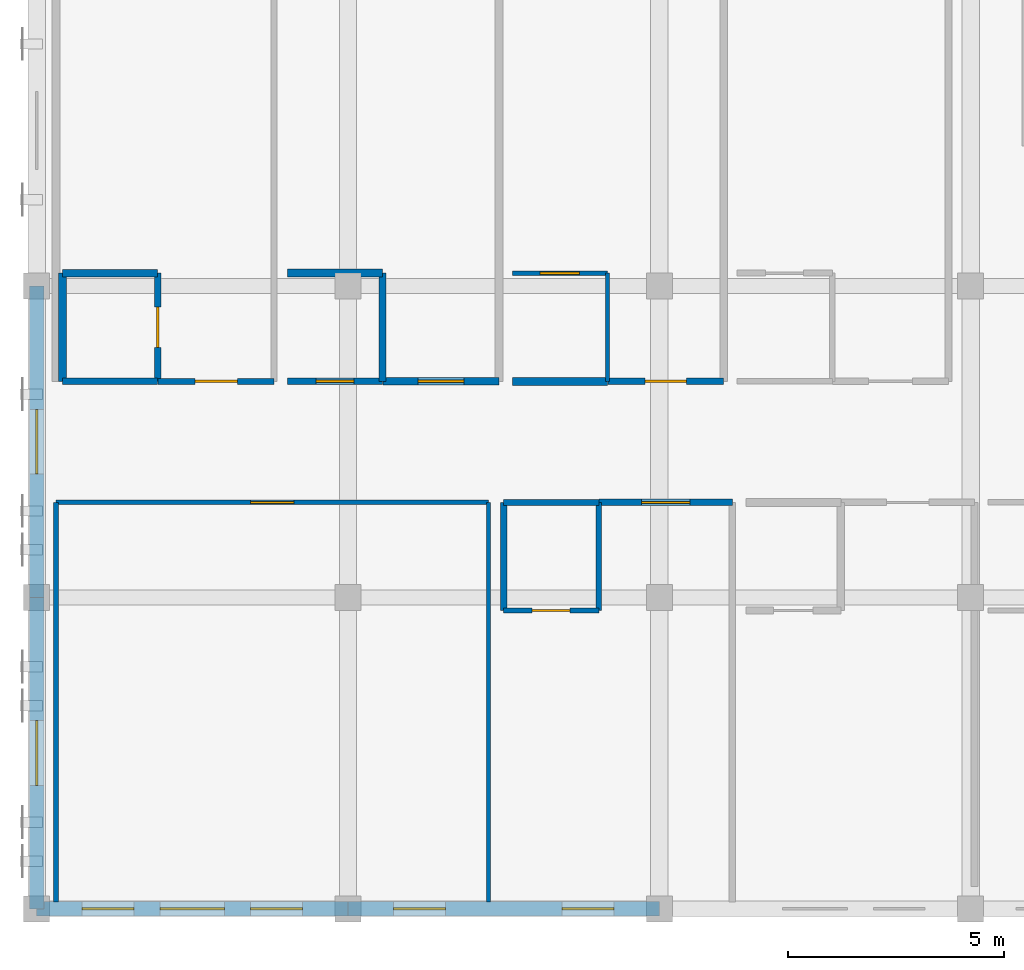
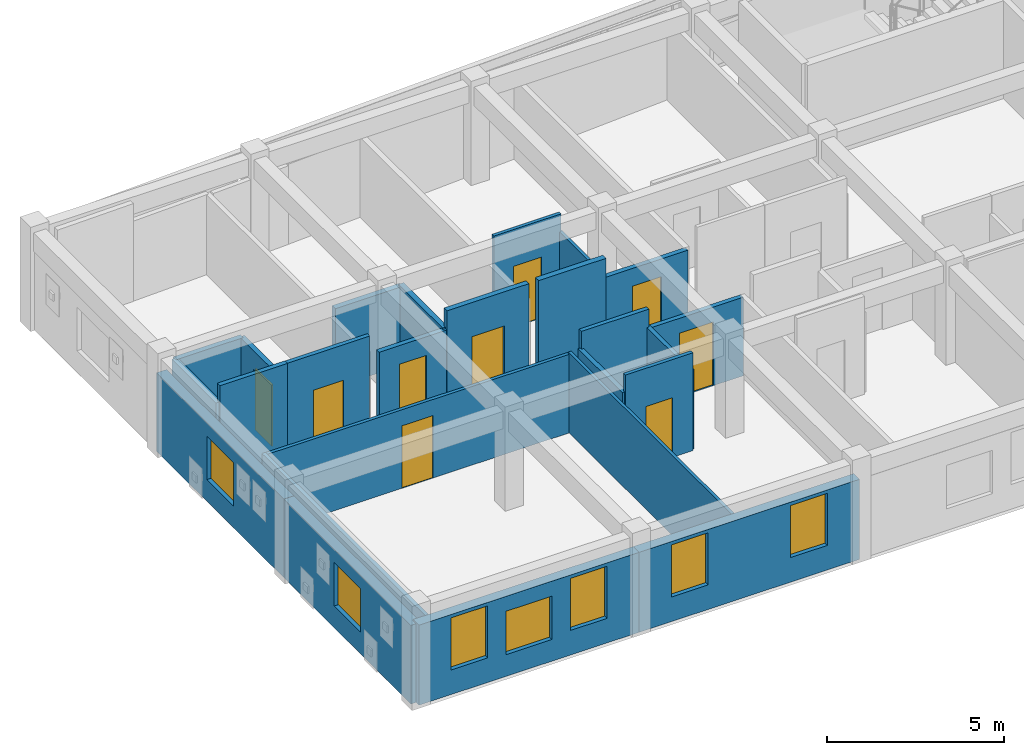
# One storey, part 30 of 41: 25 walls, 9 doors, 7 windows, 16 openings.
"""IFC4 building model written with IfcOpenShell, lengths in metres."""

from ifc_helpers import new_model, si_unit, direction, frame, frame_2d, origin, place, context, subcontext, project, spatial, rectangle, extrude, material, layer, layer_set, type_object, element, fill, save


model = new_model("IFC4")

# Units and contexts
model_context = context("Model", 3, precision=1e-05, world=origin(), true_north=direction((0.0, 1.0)))
body_context = subcontext(model_context, "Body", "Model", "MODEL_VIEW")
ifc_project = project(units=[si_unit("LENGTHUNIT", "METRE"), si_unit("AREAUNIT", "SQUARE_METRE"), si_unit("VOLUMEUNIT", "CUBIC_METRE"), si_unit("PLANEANGLEUNIT", "RADIAN"), si_unit("MASSUNIT", "GRAM", prefix="KILO")], contexts=[model_context])

# Site, building, storey
site_placement = place(None, origin())
site = spatial("IfcSite", under=ifc_project, at=site_placement, CompositionType="ELEMENT")
building_placement = place(site_placement, origin())
building = spatial("IfcBuilding", under=site, at=building_placement, Name="Carrowvane Square Congress Hotel", CompositionType="ELEMENT")
storey_placement = place(building_placement, frame((0.0, 0.0, 37.199951171875)))
storey = spatial("IfcBuildingStorey", under=building, at=storey_placement, Name="L09", CompositionType="ELEMENT", Elevation=37.199951171875)

# Wall, openings, windows
ifc_material_1 = material(Name="Glazed terracotta rainscreen", Category="masonry")
ifc_layer_1 = layer(ifc_material_1, 0.330078125)
ifc_layer_set_1 = layer_set([ifc_layer_1], Name="Glazed terracotta rainscreen")
wall_type_1 = type_object("IfcWallType", Name="WL-EXT-TC330", PredefinedType="STANDARD", material=ifc_layer_set_1)
wall_1_placement = place(storey_placement, frame((47.60009765625, 91.800048828125, 0.0), z_axis=(0.0, 0.0, 1.0), x_axis=(-1.0, 0.0, 0.0)))
wall_1 = element("IfcWall", 1, at=wall_1_placement, inside=storey, type_object=wall_type_1, Name="L09 exterior facade wall 578", PredefinedType="STANDARD", context=body_context, shape_type="SweptSolid", body=[
    extrude(rectangle(XDim=7.2001953125, YDim=0.330078125, at=frame_2d((3.60009765625, 0.0))), origin(), (0.0, 0.0, 1.0), 2.76513671875),
])
opening_1_placement = place(wall_1_placement, frame((1.050048828125, 0.0, 0.85009765625)))
opening_1 = element("IfcOpeningElement", 2, at=opening_1_placement, cuts=wall_1, Name="Opening W-01", PredefinedType="OPENING", context=body_context, shape_type="SweptSolid", body=[
    extrude(rectangle(XDim=1.199951171875, YDim=1.800048828125, at=frame_2d((0.60009765625, 0.89990234375))), frame((0.0, 0.175048828125, 0.0), z_axis=(0.0, -1.0, 0.0), x_axis=(1.0, 0.0, 0.0)), (0.0, 0.0, 1.0), 0.35009765625),
])
opening_2_placement = place(wall_1_placement, frame((4.949951171875, 0.0, 0.85009765625)))
opening_2 = element("IfcOpeningElement", 3, at=opening_2_placement, cuts=wall_1, Name="Opening W-01", PredefinedType="OPENING", context=body_context, shape_type="SweptSolid", body=[
    extrude(rectangle(XDim=1.199951171875, YDim=1.800048828125, at=frame_2d((0.60009765625, 0.89990234375))), frame((0.0, 0.175048828125, 0.0), z_axis=(0.0, -1.0, 0.0), x_axis=(1.0, 0.0, 0.0)), (0.0, 0.0, 1.0), 0.35009765625),
])
ifc_material_2 = material(Name="Double-glazed low-E glass", Category="glass")
window_type_1 = type_object("IfcWindowType", Name="WIN-01", PartitioningType="SINGLE_PANEL", PredefinedType="WINDOW", material=ifc_material_2)
window_1_placement = place(opening_1_placement, origin())
window_1 = element("IfcWindow", 4, at=window_1_placement, inside=storey, type_object=window_type_1, Name="L09 guest bedroom window 449", OverallHeight=1.800048828125, OverallWidth=1.199951171875, PartitioningType="SINGLE_PANEL", PredefinedType="WINDOW", context=body_context, shape_type="SweptSolid", body=[
    extrude(rectangle(XDim=1.199951171875, YDim=1.800048828125, at=frame_2d((0.60009765625, 0.89990234375))), frame((0.0, 0.030029296875, 0.0), z_axis=(0.0, -1.0, 0.0), x_axis=(1.0, 0.0, 0.0)), (0.0, 0.0, 1.0), 0.06005859375),
])
fill(opening_1, window_1)
window_2_placement = place(opening_2_placement, origin())
window_2 = element("IfcWindow", 5, at=window_2_placement, inside=storey, type_object=window_type_1, Name="L09 guest bedroom window 450", OverallHeight=1.800048828125, OverallWidth=1.199951171875, PartitioningType="SINGLE_PANEL", PredefinedType="WINDOW", context=body_context, shape_type="SweptSolid", body=[
    extrude(rectangle(XDim=1.199951171875, YDim=1.800048828125, at=frame_2d((0.60009765625, 0.89990234375))), frame((0.0, 0.030029296875, 0.0), z_axis=(0.0, -1.0, 0.0), x_axis=(1.0, 0.0, 0.0)), (0.0, 0.0, 1.0), 0.06005859375),
])
fill(opening_2, window_2)

wall_2_placement = place(storey_placement, frame((40.39990234375, 91.800048828125, 0.0), z_axis=(0.0, 0.0, 1.0), x_axis=(-1.0, 0.0, 0.0)))
wall_2 = element("IfcWall", 6, at=wall_2_placement, inside=storey, type_object=wall_type_1, Name="L09 exterior facade wall 579", PredefinedType="STANDARD", context=body_context, shape_type="SweptSolid", body=[
    extrude(rectangle(XDim=7.199951171875, YDim=0.330078125, at=frame_2d((3.60009765625, 0.0))), origin(), (0.0, 0.0, 1.0), 2.76513671875),
])
opening_3_placement = place(wall_2_placement, frame((2.85009765625, 0.0, 0.75)))
opening_3 = element("IfcOpeningElement", 7, at=opening_3_placement, cuts=wall_2, Name="Opening W-15", PredefinedType="OPENING", context=body_context, shape_type="SweptSolid", body=[
    extrude(rectangle(XDim=1.5, YDim=1.5, at=frame_2d((0.75, 0.75))), frame((0.0, 0.175048828125, 0.0), z_axis=(0.0, -1.0, 0.0), x_axis=(1.0, 0.0, 0.0)), (0.0, 0.0, 1.0), 0.35009765625),
])
opening_4_placement = place(wall_2_placement, frame((1.050048828125, 0.0, 0.85009765625)))
opening_4 = element("IfcOpeningElement", 8, at=opening_4_placement, cuts=wall_2, Name="Opening W-01", PredefinedType="OPENING", context=body_context, shape_type="SweptSolid", body=[
    extrude(rectangle(XDim=1.199951171875, YDim=1.800048828125, at=frame_2d((0.60009765625, 0.89990234375))), frame((0.0, 0.175048828125, 0.0), z_axis=(0.0, -1.0, 0.0), x_axis=(1.0, 0.0, 0.0)), (0.0, 0.0, 1.0), 0.35009765625),
])
opening_5_placement = place(wall_2_placement, frame((4.949951171875, 0.0, 0.85009765625)))
opening_5 = element("IfcOpeningElement", 9, at=opening_5_placement, cuts=wall_2, Name="Opening W-01", PredefinedType="OPENING", context=body_context, shape_type="SweptSolid", body=[
    extrude(rectangle(XDim=1.199951171875, YDim=1.800048828125, at=frame_2d((0.60009765625, 0.89990234375))), frame((0.0, 0.175048828125, 0.0), z_axis=(0.0, -1.0, 0.0), x_axis=(1.0, 0.0, 0.0)), (0.0, 0.0, 1.0), 0.35009765625),
])
window_3_placement = place(opening_4_placement, origin())
window_3 = element("IfcWindow", 10, at=window_3_placement, inside=storey, type_object=window_type_1, Name="L09 guest bedroom window 452", OverallHeight=1.800048828125, OverallWidth=1.199951171875, PartitioningType="SINGLE_PANEL", PredefinedType="WINDOW", context=body_context, shape_type="SweptSolid", body=[
    extrude(rectangle(XDim=1.199951171875, YDim=1.800048828125, at=frame_2d((0.60009765625, 0.89990234375))), frame((0.0, 0.030029296875, 0.0), z_axis=(0.0, -1.0, 0.0), x_axis=(1.0, 0.0, 0.0)), (0.0, 0.0, 1.0), 0.06005859375),
])
fill(opening_4, window_3)
window_4_placement = place(opening_5_placement, origin())
window_4 = element("IfcWindow", 11, at=window_4_placement, inside=storey, type_object=window_type_1, Name="L09 guest bedroom window 453", OverallHeight=1.800048828125, OverallWidth=1.199951171875, PartitioningType="SINGLE_PANEL", PredefinedType="WINDOW", context=body_context, shape_type="SweptSolid", body=[
    extrude(rectangle(XDim=1.199951171875, YDim=1.800048828125, at=frame_2d((0.60009765625, 0.89990234375))), frame((0.0, 0.030029296875, 0.0), z_axis=(0.0, -1.0, 0.0), x_axis=(1.0, 0.0, 0.0)), (0.0, 0.0, 1.0), 0.06005859375),
])
fill(opening_5, window_4)
ifc_material_3 = material(Name="Double-glazed low-E glass", Category="glass")
window_type_2 = type_object("IfcWindowType", Name="WIN-15", PartitioningType="SINGLE_PANEL", PredefinedType="WINDOW", material=ifc_material_3)
window_5_placement = place(opening_3_placement, origin())
window_5 = element("IfcWindow", 12, at=window_5_placement, inside=storey, type_object=window_type_2, Name="L09 facade window 451", OverallHeight=1.5, OverallWidth=1.5, PartitioningType="SINGLE_PANEL", PredefinedType="WINDOW", context=body_context, shape_type="SweptSolid", body=[
    extrude(rectangle(XDim=1.5, YDim=1.5, at=frame_2d((0.75, 0.75))), frame((0.0, 0.030029296875, 0.0), z_axis=(0.0, -1.0, 0.0), x_axis=(1.0, 0.0, 0.0)), (0.0, 0.0, 1.0), 0.06005859375),
])
fill(opening_3, window_5)

# Wall, opening, window
wall_3_placement = place(storey_placement, frame((33.199951171875, 91.800048828125, 0.0), z_axis=(0.0, 0.0, 1.0), x_axis=(0.0, 1.0, 0.0)))
wall_3 = element("IfcWall", 13, at=wall_3_placement, inside=storey, type_object=wall_type_1, Name="L09 exterior facade wall 580", PredefinedType="STANDARD", context=body_context, shape_type="SweptSolid", body=[
    extrude(rectangle(XDim=7.199951171875, YDim=0.330078125, at=frame_2d((3.60009765625, 0.0))), origin(), (0.0, 0.0, 1.0), 2.715087890625),
])
opening_6_placement = place(wall_3_placement, frame((2.85009765625, 0.0, 0.75)))
opening_6 = element("IfcOpeningElement", 14, at=opening_6_placement, cuts=wall_3, Name="Opening W-15", PredefinedType="OPENING", context=body_context, shape_type="SweptSolid", body=[
    extrude(rectangle(XDim=1.5, YDim=1.5, at=frame_2d((0.75, 0.75))), frame((0.0, 0.175048828125, 0.0), z_axis=(0.0, -1.0, 0.0), x_axis=(1.0, 0.0, 0.0)), (0.0, 0.0, 1.0), 0.35009765625),
])
window_6_placement = place(opening_6_placement, origin())
window_6 = element("IfcWindow", 15, at=window_6_placement, inside=storey, type_object=window_type_2, Name="L09 facade window 454", OverallHeight=1.5, OverallWidth=1.5, PartitioningType="SINGLE_PANEL", PredefinedType="WINDOW", context=body_context, shape_type="SweptSolid", body=[
    extrude(rectangle(XDim=1.5, YDim=1.5, at=frame_2d((0.75, 0.75))), frame((0.0, 0.030029296875, 0.0), z_axis=(0.0, -1.0, 0.0), x_axis=(1.0, 0.0, 0.0)), (0.0, 0.0, 1.0), 0.06005859375),
])
fill(opening_6, window_6)

wall_4_placement = place(storey_placement, frame((33.199951171875, 99.0, 0.0), z_axis=(0.0, 0.0, 1.0), x_axis=(0.0, 1.0, 0.0)))
wall_4 = element("IfcWall", 16, at=wall_4_placement, inside=storey, type_object=wall_type_1, Name="L09 exterior facade wall 581", PredefinedType="STANDARD", context=body_context, shape_type="SweptSolid", body=[
    extrude(rectangle(XDim=7.199951171875, YDim=0.330078125, at=frame_2d((3.60009765625, 0.0))), origin(), (0.0, 0.0, 1.0), 2.715087890625),
])
opening_7_placement = place(wall_4_placement, frame((2.85009765625, 0.0, 0.75)))
opening_7 = element("IfcOpeningElement", 17, at=opening_7_placement, cuts=wall_4, Name="Opening W-15", PredefinedType="OPENING", context=body_context, shape_type="SweptSolid", body=[
    extrude(rectangle(XDim=1.5, YDim=1.5, at=frame_2d((0.75, 0.75))), frame((0.0, 0.175048828125, 0.0), z_axis=(0.0, -1.0, 0.0), x_axis=(1.0, 0.0, 0.0)), (0.0, 0.0, 1.0), 0.35009765625),
])
window_7_placement = place(opening_7_placement, origin())
window_7 = element("IfcWindow", 18, at=window_7_placement, inside=storey, type_object=window_type_2, Name="L09 facade window 455", OverallHeight=1.5, OverallWidth=1.5, PartitioningType="SINGLE_PANEL", PredefinedType="WINDOW", context=body_context, shape_type="SweptSolid", body=[
    extrude(rectangle(XDim=1.5, YDim=1.5, at=frame_2d((0.75, 0.75))), frame((0.0, 0.030029296875, 0.0), z_axis=(0.0, -1.0, 0.0), x_axis=(1.0, 0.0, 0.0)), (0.0, 0.0, 1.0), 0.06005859375),
])
fill(opening_7, window_7)

# Wall, opening, door
ifc_material_4 = material(Name="Acoustic gypsum board", Category="gypsum")
ifc_layer_2 = layer(ifc_material_4, 0.155029296875)
ifc_layer_set_2 = layer_set([ifc_layer_2], Name="Acoustic gypsum board")
wall_type_2 = type_object("IfcWallType", Name="WL-FIR-155", PredefinedType="PARTITIONING", material=ifc_layer_set_2)
wall_5_placement = place(storey_placement, frame((36.0, 106.5, 0.0), z_axis=(0.0, 0.0, 1.0), x_axis=(0.0, -1.0, 0.0)))
wall_5 = element("IfcWall", 19, at=wall_5_placement, inside=storey, type_object=wall_type_2, Name="L09 En-suite Bathroom 0907 partition", PredefinedType="PARTITIONING", context=body_context, shape_type="SweptSolid", body=[
    extrude(rectangle(XDim=2.5, YDim=0.155029296875, at=frame_2d((1.25, 0.0))), origin(), (0.0, 0.0, 1.0), 2.76513671875),
])
opening_8_placement = place(wall_5_placement, frame((0.780029296875, 0.0, 0.0)))
opening_8 = element("IfcOpeningElement", 20, at=opening_8_placement, cuts=wall_5, Name="Opening ID-04", PredefinedType="OPENING", context=body_context, shape_type="SweptSolid", body=[
    extrude(rectangle(XDim=0.93994140625, YDim=2.1201171875, at=frame_2d((0.469970703125, 1.06005859375))), frame((0.0, 0.08740234375, 0.0), z_axis=(0.0, -1.0, 0.0), x_axis=(1.0, 0.0, 0.0)), (0.0, 0.0, 1.0), 0.175048828125),
])
ifc_material_5 = material(Name="European oak timber", Category="wood")
door_type_1 = type_object("IfcDoorType", Name="DR-INT-0940x2120", OperationType="NOTDEFINED", PredefinedType="DOOR", material=ifc_material_5)
door_1_placement = place(opening_8_placement, origin())
door_1 = element("IfcDoor", 21, at=door_1_placement, inside=storey, type_object=door_type_1, Name="L09 En-suite Bathroom 0907 door", OperationType="SINGLE_SWING_LEFT", OverallHeight=2.1201171875, OverallWidth=0.93994140625, PredefinedType="DOOR", context=body_context, shape_type="SweptSolid", body=[
    extrude(rectangle(XDim=0.93994140625, YDim=2.1201171875, at=frame_2d((0.469970703125, 1.06005859375))), frame((0.0, 0.02490234375, 0.0), z_axis=(0.0, -1.0, 0.0), x_axis=(1.0, 0.0, 0.0)), (0.0, 0.0, 1.0), 0.050048828125),
])
fill(opening_8, door_1)

wall_6_placement = place(storey_placement, frame((41.199951171875, 104.0, 0.0), z_axis=(0.0, 0.0, 1.0), x_axis=(-1.0, 0.0, 0.0)))
wall_6 = element("IfcWall", 22, at=wall_6_placement, inside=storey, type_object=wall_type_2, Name="L09 En-suite Bathroom 0908 partition", PredefinedType="PARTITIONING", context=body_context, shape_type="SweptSolid", body=[
    extrude(rectangle(XDim=2.199951171875, YDim=0.155029296875, at=frame_2d((1.10009765625, 0.0))), origin(), (0.0, 0.0, 1.0), 2.715087890625),
])
opening_9_placement = place(wall_6_placement, frame((0.6650390625, 0.0, 0.0)))
opening_9 = element("IfcOpeningElement", 23, at=opening_9_placement, cuts=wall_6, Name="Opening ID-15", PredefinedType="OPENING", context=body_context, shape_type="SweptSolid", body=[
    extrude(rectangle(XDim=0.8701171875, YDim=2.070068359375, at=frame_2d((0.43505859375, 1.03515625))), frame((0.0, 0.08740234375, 0.0), z_axis=(0.0, -1.0, 0.0), x_axis=(1.0, 0.0, 0.0)), (0.0, 0.0, 1.0), 0.175048828125),
])
ifc_material_6 = material(Name="European oak timber", Category="wood")
door_type_2 = type_object("IfcDoorType", Name="DR-INT-0870x2070", OperationType="NOTDEFINED", PredefinedType="DOOR", material=ifc_material_6)
door_2_placement = place(opening_9_placement, origin())
door_2 = element("IfcDoor", 24, at=door_2_placement, inside=storey, type_object=door_type_2, Name="L09 En-suite Bathroom 0908 door", OperationType="SINGLE_SWING_LEFT", OverallHeight=2.070068359375, OverallWidth=0.8701171875, PredefinedType="DOOR", context=body_context, shape_type="SweptSolid", body=[
    extrude(rectangle(XDim=0.8701171875, YDim=2.070068359375, at=frame_2d((0.43505859375, 1.03515625))), frame((0.0, 0.02490234375, 0.0), z_axis=(0.0, -1.0, 0.0), x_axis=(1.0, 0.0, 0.0)), (0.0, 0.0, 1.0), 0.050048828125),
])
fill(opening_9, door_2)

wall_7_placement = place(storey_placement, frame((49.090087890625, 104.0, 0.0), z_axis=(0.0, 0.0, 1.0), x_axis=(-1.0, 0.0, 0.0)))
wall_7 = element("IfcWall", 25, at=wall_7_placement, inside=storey, type_object=wall_type_2, Name="L09 Parkview Guest Bedroom 0909 partition", PredefinedType="PARTITIONING", context=body_context, shape_type="SweptSolid", body=[
    extrude(rectangle(XDim=2.68017578125, YDim=0.155029296875, at=frame_2d((1.340087890625, 0.0))), origin(), (0.0, 0.0, 1.0), 2.715087890625),
])
opening_10_placement = place(wall_7_placement, frame((0.864990234375, 0.0, 0.0)))
opening_10 = element("IfcOpeningElement", 26, at=opening_10_placement, cuts=wall_7, Name="Opening FD-06", PredefinedType="OPENING", context=body_context, shape_type="SweptSolid", body=[
    extrude(rectangle(XDim=0.949951171875, YDim=2.10009765625, at=frame_2d((0.47509765625, 1.050048828125))), frame((0.0, 0.08740234375, 0.0), z_axis=(0.0, -1.0, 0.0), x_axis=(1.0, 0.0, 0.0)), (0.0, 0.0, 1.0), 0.175048828125),
])
ifc_material_7 = material(Name="European oak timber", Category="wood")
door_type_3 = type_object("IfcDoorType", Name="DR-FD30-0950x2100", OperationType="NOTDEFINED", PredefinedType="DOOR", material=ifc_material_7)
door_3_placement = place(opening_10_placement, origin())
door_3 = element("IfcDoor", 27, at=door_3_placement, inside=storey, type_object=door_type_3, Name="L09 Parkview Guest Bedroom 0909 entrance door", OperationType="SINGLE_SWING_RIGHT", OverallHeight=2.10009765625, OverallWidth=0.949951171875, PredefinedType="DOOR", context=body_context, shape_type="SweptSolid", body=[
    extrude(rectangle(XDim=0.949951171875, YDim=2.10009765625, at=frame_2d((0.47509765625, 1.050048828125))), frame((0.0, 0.02490234375, 0.0), z_axis=(0.0, -1.0, 0.0), x_axis=(1.0, 0.0, 0.0)), (0.0, 0.0, 1.0), 0.050048828125),
])
fill(opening_10, door_3)

# Walls
ifc_material_8 = material(Name="Acoustic gypsum board", Category="gypsum")
ifc_layer_3 = layer(ifc_material_8, 0.169921875)
ifc_layer_set_3 = layer_set([ifc_layer_3], Name="Acoustic gypsum board")
wall_type_3 = type_object("IfcWallType", Name="WL-FIR-170", PredefinedType="PARTITIONING", material=ifc_layer_set_3)
wall_8_placement = place(storey_placement, frame((33.800048828125, 106.5, 0.0), z_axis=(0.0, 0.0, 1.0), x_axis=(1.0, 0.0, 0.0)))
element("IfcWall", 28, at=wall_8_placement, inside=storey, type_object=wall_type_3, Name="L09 En-suite Bathroom 0907 partition", PredefinedType="PARTITIONING", context=body_context, shape_type="SweptSolid", body=[
    extrude(rectangle(XDim=2.199951171875, YDim=0.169921875, at=frame_2d((1.10009765625, 0.0))), origin(), (0.0, 0.0, 1.0), 2.76513671875),
])
wall_9_placement = place(storey_placement, frame((41.199951171875, 106.5, 0.0), z_axis=(0.0, 0.0, 1.0), x_axis=(0.0, -1.0, 0.0)))
element("IfcWall", 29, at=wall_9_placement, inside=storey, type_object=wall_type_3, Name="L09 En-suite Bathroom 0908 partition", PredefinedType="PARTITIONING", context=body_context, shape_type="SweptSolid", body=[
    extrude(rectangle(XDim=2.5, YDim=0.169921875, at=frame_2d((1.25, 0.0))), origin(), (0.0, 0.0, 1.0), 2.76513671875),
])

# Wall, opening, door
wall_10_placement = place(storey_placement, frame((43.889892578125, 104.0, 0.0), z_axis=(0.0, 0.0, 1.0), x_axis=(-1.0, 0.0, 0.0)))
wall_10 = element("IfcWall", 30, at=wall_10_placement, inside=storey, type_object=wall_type_3, Name="L09 Parkview Guest Bedroom 0908 partition", PredefinedType="PARTITIONING", context=body_context, shape_type="SweptSolid", body=[
    extrude(rectangle(XDim=2.679931640625, YDim=0.169921875, at=frame_2d((1.33984375, 0.0))), origin(), (0.0, 0.0, 1.0), 3.380126953125),
])
opening_11_placement = place(wall_10_placement, frame((0.81005859375, 0.0, 0.0)))
opening_11 = element("IfcOpeningElement", 31, at=opening_11_placement, cuts=wall_10, Name="Opening FD-09", PredefinedType="OPENING", context=body_context, shape_type="SweptSolid", body=[
    extrude(rectangle(XDim=1.06005859375, YDim=2.199951171875, at=frame_2d((0.530029296875, 1.10009765625))), frame((0.0, 0.094970703125, 0.0), z_axis=(0.0, -1.0, 0.0), x_axis=(1.0, 0.0, 0.0)), (0.0, 0.0, 1.0), 0.18994140625),
])
ifc_material_9 = material(Name="European oak timber", Category="wood")
door_type_4 = type_object("IfcDoorType", Name="DR-FD30-1060x2200", OperationType="NOTDEFINED", PredefinedType="DOOR", material=ifc_material_9)
door_4_placement = place(opening_11_placement, origin())
door_4 = element("IfcDoor", 32, at=door_4_placement, inside=storey, type_object=door_type_4, Name="L09 Parkview Guest Bedroom 0908 entrance door", OperationType="SINGLE_SWING_RIGHT", OverallHeight=2.199951171875, OverallWidth=1.06005859375, PredefinedType="DOOR", context=body_context, shape_type="SweptSolid", body=[
    extrude(rectangle(XDim=1.06005859375, YDim=2.199951171875, at=frame_2d((0.530029296875, 1.10009765625))), frame((0.0, 0.02490234375, 0.0), z_axis=(0.0, -1.0, 0.0), x_axis=(1.0, 0.0, 0.0)), (0.0, 0.0, 1.0), 0.050048828125),
])
fill(opening_11, door_4)

# Walls
ifc_material_10 = material(Name="Acoustic gypsum board", Category="gypsum")
ifc_layer_4 = layer(ifc_material_10, 0.18505859375)
ifc_layer_set_4 = layer_set([ifc_layer_4], Name="Acoustic gypsum board")
wall_type_4 = type_object("IfcWallType", Name="WL-FIR-185", PredefinedType="PARTITIONING", material=ifc_layer_set_4)
wall_11_placement = place(storey_placement, frame((33.800048828125, 104.0, 0.0), z_axis=(0.0, 0.0, 1.0), x_axis=(0.0, 1.0, 0.0)))
element("IfcWall", 33, at=wall_11_placement, inside=storey, type_object=wall_type_4, Name="L09 En-suite Bathroom 0907 partition", PredefinedType="PARTITIONING", context=body_context, shape_type="SweptSolid", body=[
    extrude(rectangle(XDim=2.5, YDim=0.18505859375, at=frame_2d((1.25, 0.0))), origin(), (0.0, 0.0, 1.0), 2.76513671875),
])
wall_12_placement = place(storey_placement, frame((39.0, 106.5, 0.0), z_axis=(0.0, 0.0, 1.0), x_axis=(1.0, 0.0, 0.0)))
element("IfcWall", 34, at=wall_12_placement, inside=storey, type_object=wall_type_4, Name="L09 En-suite Bathroom 0908 partition", PredefinedType="PARTITIONING", context=body_context, shape_type="SweptSolid", body=[
    extrude(rectangle(XDim=2.199951171875, YDim=0.18505859375, at=frame_2d((1.10009765625, 0.0))), origin(), (0.0, 0.0, 1.0), 2.715087890625),
])
wall_13_placement = place(storey_placement, frame((46.39990234375, 104.0, 0.0), z_axis=(0.0, 0.0, 1.0), x_axis=(-1.0, 0.0, 0.0)))
element("IfcWall", 35, at=wall_13_placement, inside=storey, type_object=wall_type_4, Name="L09 En-suite Bathroom 0909 partition", PredefinedType="PARTITIONING", context=body_context, shape_type="SweptSolid", body=[
    extrude(rectangle(XDim=2.199951171875, YDim=0.18505859375, at=frame_2d((1.10009765625, 0.0))), origin(), (0.0, 0.0, 1.0), 3.380126953125),
])
ifc_material_11 = material(Name="Acoustic gypsum board", Category="gypsum")
ifc_layer_5 = layer(ifc_material_11, 0.097900390625)
ifc_layer_set_5 = layer_set([ifc_layer_5], Name="Acoustic gypsum board")
wall_type_5 = type_object("IfcWallType", Name="WL-PRT-098", PredefinedType="PARTITIONING", material=ifc_layer_set_5)
wall_14_placement = place(storey_placement, frame((43.64990234375, 101.199951171875, 0.0), z_axis=(0.0, 0.0, 1.0), x_axis=(0.0, -1.0, 0.0)))
element("IfcWall", 36, at=wall_14_placement, inside=storey, type_object=wall_type_5, Name="L09 L09 West Terrace Lounge partition", PredefinedType="PARTITIONING", context=body_context, shape_type="SweptSolid", body=[
    extrude(rectangle(XDim=9.239990234375, YDim=0.097900390625, at=frame_2d((4.6201171875, 0.0))), origin(), (0.0, 0.0, 1.0), 2.76513671875),
])
wall_15_placement = place(storey_placement, frame((46.39990234375, 106.5, 0.0), z_axis=(0.0, 0.0, 1.0), x_axis=(0.0, -1.0, 0.0)))
element("IfcWall", 37, at=wall_15_placement, inside=storey, type_object=wall_type_5, Name="L09 En-suite Bathroom 0909 partition", PredefinedType="PARTITIONING", context=body_context, shape_type="SweptSolid", body=[
    extrude(rectangle(XDim=2.5, YDim=0.097900390625, at=frame_2d((1.25, 0.0))), origin(), (0.0, 0.0, 1.0), 2.76513671875),
])

# Wall, opening, door
ifc_material_12 = material(Name="Acoustic gypsum board", Category="gypsum")
ifc_layer_6 = layer(ifc_material_12, 0.10791015625)
ifc_layer_set_6 = layer_set([ifc_layer_6], Name="Acoustic gypsum board")
wall_type_6 = type_object("IfcWallType", Name="WL-PRT-108", PredefinedType="PARTITIONING", material=ifc_layer_set_6)
wall_16_placement = place(storey_placement, frame((33.64990234375, 101.199951171875, 0.0), z_axis=(0.0, 0.0, 1.0), x_axis=(1.0, 0.0, 0.0)))
wall_16 = element("IfcWall", 38, at=wall_16_placement, inside=storey, type_object=wall_type_6, Name="L09 L09 West Terrace Lounge partition", PredefinedType="PARTITIONING", context=body_context, shape_type="SweptSolid", body=[
    extrude(rectangle(XDim=10.0, YDim=0.10791015625, at=frame_2d((5.0, 0.0))), origin(), (0.0, 0.0, 1.0), 2.715087890625),
])
opening_12_placement = place(wall_16_placement, frame((4.4951171875, 0.0, 0.0)))
opening_12 = element("IfcOpeningElement", 39, at=opening_12_placement, cuts=wall_16, Name="Opening ID-20", PredefinedType="OPENING", context=body_context, shape_type="SweptSolid", body=[
    extrude(rectangle(XDim=1.010009765625, YDim=2.159912109375, at=frame_2d((0.5048828125, 1.080078125))), frame((0.0, 0.06396484375, 0.0), z_axis=(0.0, -1.0, 0.0), x_axis=(1.0, 0.0, 0.0)), (0.0, 0.0, 1.0), 0.1279296875),
])
ifc_material_13 = material(Name="European oak timber", Category="wood")
door_type_5 = type_object("IfcDoorType", Name="DR-INT-1010x2160", OperationType="NOTDEFINED", PredefinedType="DOOR", material=ifc_material_13)
door_5_placement = place(opening_12_placement, origin())
door_5 = element("IfcDoor", 40, at=door_5_placement, inside=storey, type_object=door_type_5, Name="L09 L09 West Terrace Lounge entrance door", OperationType="SINGLE_SWING_LEFT", OverallHeight=2.159912109375, OverallWidth=1.010009765625, PredefinedType="DOOR", context=body_context, shape_type="SweptSolid", body=[
    extrude(rectangle(XDim=1.010009765625, YDim=2.159912109375, at=frame_2d((0.5048828125, 1.080078125))), frame((0.0, 0.02490234375, 0.0), z_axis=(0.0, -1.0, 0.0), x_axis=(1.0, 0.0, 0.0)), (0.0, 0.0, 1.0), 0.050048828125),
])
fill(opening_12, door_5)

wall_17_placement = place(storey_placement, frame((44.199951171875, 106.5, 0.0), z_axis=(0.0, 0.0, 1.0), x_axis=(1.0, 0.0, 0.0)))
wall_17 = element("IfcWall", 41, at=wall_17_placement, inside=storey, type_object=wall_type_6, Name="L09 En-suite Bathroom 0909 partition", PredefinedType="PARTITIONING", context=body_context, shape_type="SweptSolid", body=[
    extrude(rectangle(XDim=2.199951171875, YDim=0.10791015625, at=frame_2d((1.10009765625, 0.0))), origin(), (0.0, 0.0, 1.0), 3.380126953125),
])
opening_13_placement = place(wall_17_placement, frame((0.64501953125, 0.0, 0.0)))
opening_13 = element("IfcOpeningElement", 42, at=opening_13_placement, cuts=wall_17, Name="Opening ID-17", PredefinedType="OPENING", context=body_context, shape_type="SweptSolid", body=[
    extrude(rectangle(XDim=0.909912109375, YDim=2.110107421875, at=frame_2d((0.455078125, 1.05517578125))), frame((0.0, 0.06396484375, 0.0), z_axis=(0.0, -1.0, 0.0), x_axis=(1.0, 0.0, 0.0)), (0.0, 0.0, 1.0), 0.1279296875),
])
ifc_material_14 = material(Name="European oak timber", Category="wood")
door_type_6 = type_object("IfcDoorType", Name="DR-INT-0910x2110", OperationType="NOTDEFINED", PredefinedType="DOOR", material=ifc_material_14)
door_6_placement = place(opening_13_placement, origin())
door_6 = element("IfcDoor", 43, at=door_6_placement, inside=storey, type_object=door_type_6, Name="L09 En-suite Bathroom 0909 door", OperationType="SINGLE_SWING_LEFT", OverallHeight=2.110107421875, OverallWidth=0.909912109375, PredefinedType="DOOR", context=body_context, shape_type="SweptSolid", body=[
    extrude(rectangle(XDim=0.909912109375, YDim=2.110107421875, at=frame_2d((0.455078125, 1.05517578125))), frame((0.0, 0.02490234375, 0.0), z_axis=(0.0, -1.0, 0.0), x_axis=(1.0, 0.0, 0.0)), (0.0, 0.0, 1.0), 0.050048828125),
])
fill(opening_13, door_6)

# Wall
ifc_material_15 = material(Name="Acoustic gypsum board", Category="gypsum")
ifc_layer_7 = layer(ifc_material_15, 0.117919921875)
ifc_layer_set_7 = layer_set([ifc_layer_7], Name="Acoustic gypsum board")
wall_type_7 = type_object("IfcWallType", Name="WL-PRT-118", PredefinedType="PARTITIONING", material=ifc_layer_set_7)
wall_18_placement = place(storey_placement, frame((33.64990234375, 91.9599609375, 0.0), z_axis=(0.0, 0.0, 1.0), x_axis=(0.0, 1.0, 0.0)))
element("IfcWall", 44, at=wall_18_placement, inside=storey, type_object=wall_type_7, Name="L09 L09 West Terrace Lounge partition", PredefinedType="PARTITIONING", context=body_context, shape_type="SweptSolid", body=[
    extrude(rectangle(XDim=9.239990234375, YDim=0.117919921875, at=frame_2d((4.6201171875, 0.0))), origin(), (0.0, 0.0, 1.0), 2.76513671875),
])

# Wall, opening, door
wall_19_placement = place(storey_placement, frame((46.199951171875, 98.699951171875, 0.0), z_axis=(0.0, 0.0, 1.0), x_axis=(-1.0, 0.0, 0.0)))
wall_19 = element("IfcWall", 45, at=wall_19_placement, inside=storey, type_object=wall_type_7, Name="L09 En-suite Bathroom 0901 partition", PredefinedType="PARTITIONING", context=body_context, shape_type="SweptSolid", body=[
    extrude(rectangle(XDim=2.199951171875, YDim=0.117919921875, at=frame_2d((1.10009765625, 0.0))), origin(), (0.0, 0.0, 1.0), 3.380126953125),
])
opening_14_placement = place(wall_19_placement, frame((0.659912109375, 0.0, 0.0)))
opening_14 = element("IfcOpeningElement", 46, at=opening_14_placement, cuts=wall_19, Name="Opening ID-01", PredefinedType="OPENING", context=body_context, shape_type="SweptSolid", body=[
    extrude(rectangle(XDim=0.8798828125, YDim=2.06005859375, at=frame_2d((0.43994140625, 1.030029296875))), frame((0.0, 0.06884765625, 0.0), z_axis=(0.0, -1.0, 0.0), x_axis=(1.0, 0.0, 0.0)), (0.0, 0.0, 1.0), 0.137939453125),
])
ifc_material_16 = material(Name="European oak timber", Category="wood")
door_type_7 = type_object("IfcDoorType", Name="DR-INT-0880x2060", OperationType="NOTDEFINED", PredefinedType="DOOR", material=ifc_material_16)
door_7_placement = place(opening_14_placement, origin())
door_7 = element("IfcDoor", 47, at=door_7_placement, inside=storey, type_object=door_type_7, Name="L09 En-suite Bathroom 0901 door", OperationType="SINGLE_SWING_LEFT", OverallHeight=2.06005859375, OverallWidth=0.8798828125, PredefinedType="DOOR", context=body_context, shape_type="SweptSolid", body=[
    extrude(rectangle(XDim=0.8798828125, YDim=2.06005859375, at=frame_2d((0.43994140625, 1.030029296875))), frame((0.0, 0.02490234375, 0.0), z_axis=(0.0, -1.0, 0.0), x_axis=(1.0, 0.0, 0.0)), (0.0, 0.0, 1.0), 0.050048828125),
])
fill(opening_14, door_7)

# Walls
ifc_material_17 = material(Name="Acoustic gypsum board", Category="gypsum")
ifc_layer_8 = layer(ifc_material_17, 0.1279296875)
ifc_layer_set_8 = layer_set([ifc_layer_8], Name="Acoustic gypsum board")
wall_type_8 = type_object("IfcWallType", Name="WL-PRT-128", PredefinedType="PARTITIONING", material=ifc_layer_set_8)
wall_20_placement = place(storey_placement, frame((46.199951171875, 101.199951171875, 0.0), z_axis=(0.0, 0.0, 1.0), x_axis=(0.0, -1.0, 0.0)))
element("IfcWall", 48, at=wall_20_placement, inside=storey, type_object=wall_type_8, Name="L09 En-suite Bathroom 0901 partition", PredefinedType="PARTITIONING", context=body_context, shape_type="SweptSolid", body=[
    extrude(rectangle(XDim=2.5, YDim=0.1279296875, at=frame_2d((1.25, 0.0))), origin(), (0.0, 0.0, 1.0), 2.76513671875),
])
ifc_material_18 = material(Name="Acoustic gypsum board", Category="gypsum")
ifc_layer_9 = layer(ifc_material_18, 0.137939453125)
ifc_layer_set_9 = layer_set([ifc_layer_9], Name="Acoustic gypsum board")
wall_type_9 = type_object("IfcWallType", Name="WL-PRT-138", PredefinedType="PARTITIONING", material=ifc_layer_set_9)
wall_21_placement = place(storey_placement, frame((44.0, 101.199951171875, 0.0), z_axis=(0.0, 0.0, 1.0), x_axis=(1.0, 0.0, 0.0)))
element("IfcWall", 49, at=wall_21_placement, inside=storey, type_object=wall_type_9, Name="L09 En-suite Bathroom 0901 partition", PredefinedType="PARTITIONING", context=body_context, shape_type="SweptSolid", body=[
    extrude(rectangle(XDim=2.199951171875, YDim=0.137939453125, at=frame_2d((1.10009765625, 0.0))), origin(), (0.0, 0.0, 1.0), 3.380126953125),
])

# Wall, opening, door
wall_22_placement = place(storey_placement, frame((38.68994140625, 104.0, 0.0), z_axis=(0.0, 0.0, 1.0), x_axis=(-1.0, 0.0, 0.0)))
wall_22 = element("IfcWall", 50, at=wall_22_placement, inside=storey, type_object=wall_type_9, Name="L09 Parkview Guest Bedroom 0907 partition", PredefinedType="PARTITIONING", context=body_context, shape_type="SweptSolid", body=[
    extrude(rectangle(XDim=2.679931640625, YDim=0.137939453125, at=frame_2d((1.33984375, 0.0))), origin(), (0.0, 0.0, 1.0), 3.380126953125),
])
opening_15_placement = place(wall_22_placement, frame((0.85009765625, 0.0, 0.0)))
opening_15 = element("IfcOpeningElement", 51, at=opening_15_placement, cuts=wall_22, Name="Opening FD-07", PredefinedType="OPENING", context=body_context, shape_type="SweptSolid", body=[
    extrude(rectangle(XDim=0.97998046875, YDim=2.14990234375, at=frame_2d((0.489990234375, 1.074951171875))), frame((0.0, 0.078857421875, 0.0), z_axis=(0.0, -1.0, 0.0), x_axis=(1.0, 0.0, 0.0)), (0.0, 0.0, 1.0), 0.157958984375),
])
ifc_material_19 = material(Name="European oak timber", Category="wood")
door_type_8 = type_object("IfcDoorType", Name="DR-FD30-0980x2150", OperationType="NOTDEFINED", PredefinedType="DOOR", material=ifc_material_19)
door_8_placement = place(opening_15_placement, origin())
door_8 = element("IfcDoor", 52, at=door_8_placement, inside=storey, type_object=door_type_8, Name="L09 Parkview Guest Bedroom 0907 entrance door", OperationType="SINGLE_SWING_RIGHT", OverallHeight=2.14990234375, OverallWidth=0.97998046875, PredefinedType="DOOR", context=body_context, shape_type="SweptSolid", body=[
    extrude(rectangle(XDim=0.97998046875, YDim=2.14990234375, at=frame_2d((0.489990234375, 1.074951171875))), frame((0.0, 0.02490234375, 0.0), z_axis=(0.0, -1.0, 0.0), x_axis=(1.0, 0.0, 0.0)), (0.0, 0.0, 1.0), 0.050048828125),
])
fill(opening_15, door_8)

# Wall
ifc_material_20 = material(Name="Acoustic gypsum board", Category="gypsum")
ifc_layer_10 = layer(ifc_material_20, 0.14794921875)
ifc_layer_set_10 = layer_set([ifc_layer_10], Name="Acoustic gypsum board")
wall_type_10 = type_object("IfcWallType", Name="WL-PRT-148", PredefinedType="PARTITIONING", material=ifc_layer_set_10)
wall_23_placement = place(storey_placement, frame((44.0, 98.699951171875, 0.0), z_axis=(0.0, 0.0, 1.0), x_axis=(0.0, 1.0, 0.0)))
element("IfcWall", 53, at=wall_23_placement, inside=storey, type_object=wall_type_10, Name="L09 En-suite Bathroom 0901 partition", PredefinedType="PARTITIONING", context=body_context, shape_type="SweptSolid", body=[
    extrude(rectangle(XDim=2.5, YDim=0.14794921875, at=frame_2d((1.25, 0.0))), origin(), (0.0, 0.0, 1.0), 2.76513671875),
])

# Wall, opening, door
wall_24_placement = place(storey_placement, frame((46.2099609375, 101.199951171875, 0.0), z_axis=(0.0, 0.0, 1.0), x_axis=(1.0, 0.0, 0.0)))
wall_24 = element("IfcWall", 54, at=wall_24_placement, inside=storey, type_object=wall_type_10, Name="L09 Hotel Suite 0901 partition", PredefinedType="PARTITIONING", context=body_context, shape_type="SweptSolid", body=[
    extrude(rectangle(XDim=3.080078125, YDim=0.14794921875, at=frame_2d((1.5400390625, 0.0))), origin(), (0.0, 0.0, 1.0), 2.715087890625),
])
opening_16_placement = place(wall_24_placement, frame((0.97998046875, 0.0, 0.0)))
opening_16 = element("IfcOpeningElement", 55, at=opening_16_placement, cuts=wall_24, Name="Opening FD-10", PredefinedType="OPENING", context=body_context, shape_type="SweptSolid", body=[
    extrude(rectangle(XDim=1.1201171875, YDim=2.199951171875, at=frame_2d((0.56005859375, 1.10009765625))), frame((0.0, 0.083984375, 0.0), z_axis=(0.0, -1.0, 0.0), x_axis=(1.0, 0.0, 0.0)), (0.0, 0.0, 1.0), 0.16796875),
])
ifc_material_21 = material(Name="European oak timber", Category="wood")
door_type_9 = type_object("IfcDoorType", Name="DR-FD30-1120x2200", OperationType="NOTDEFINED", PredefinedType="DOOR", material=ifc_material_21)
door_9_placement = place(opening_16_placement, origin())
door_9 = element("IfcDoor", 56, at=door_9_placement, inside=storey, type_object=door_type_9, Name="L09 Hotel Suite 0901 entrance door", OperationType="SINGLE_SWING_RIGHT", OverallHeight=2.199951171875, OverallWidth=1.1201171875, PredefinedType="DOOR", context=body_context, shape_type="SweptSolid", body=[
    extrude(rectangle(XDim=1.1201171875, YDim=2.199951171875, at=frame_2d((0.56005859375, 1.10009765625))), frame((0.0, 0.02490234375, 0.0), z_axis=(0.0, -1.0, 0.0), x_axis=(1.0, 0.0, 0.0)), (0.0, 0.0, 1.0), 0.050048828125),
])
fill(opening_16, door_9)

# Wall
wall_25_placement = place(storey_placement, frame((36.0, 104.0, 0.0), z_axis=(0.0, 0.0, 1.0), x_axis=(-1.0, 0.0, 0.0)))
element("IfcWall", 57, at=wall_25_placement, inside=storey, type_object=wall_type_10, Name="L09 En-suite Bathroom 0907 partition", PredefinedType="PARTITIONING", context=body_context, shape_type="SweptSolid", body=[
    extrude(rectangle(XDim=2.199951171875, YDim=0.14794921875, at=frame_2d((1.10009765625, 0.0))), origin(), (0.0, 0.0, 1.0), 3.380126953125),
])

save(model, "model.ifc")
